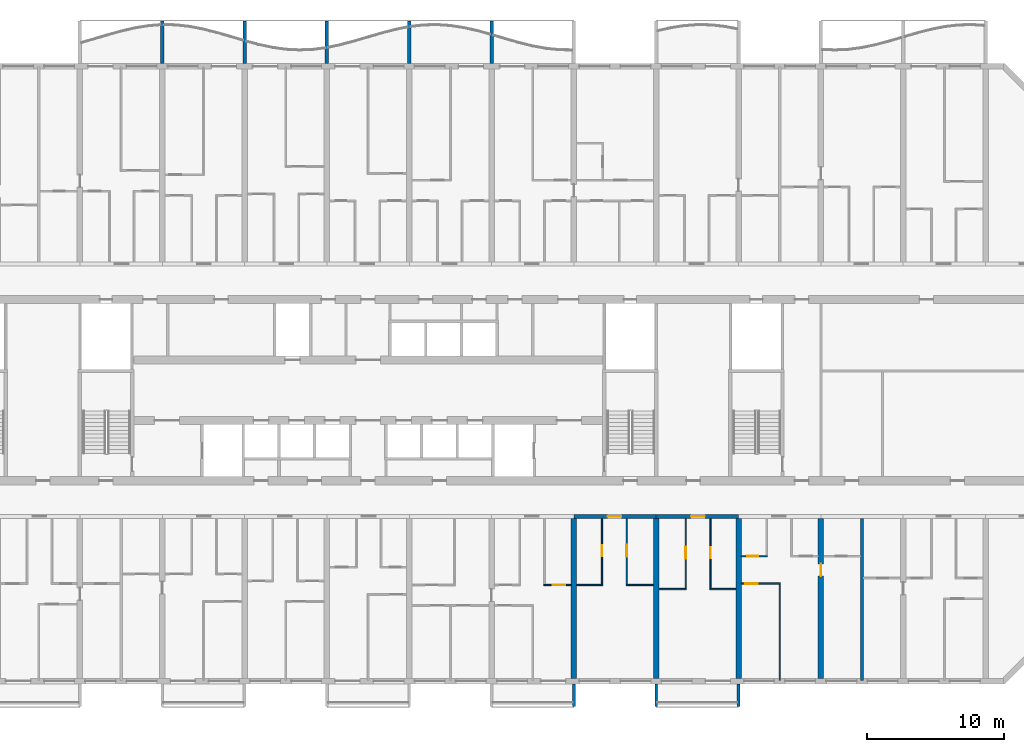
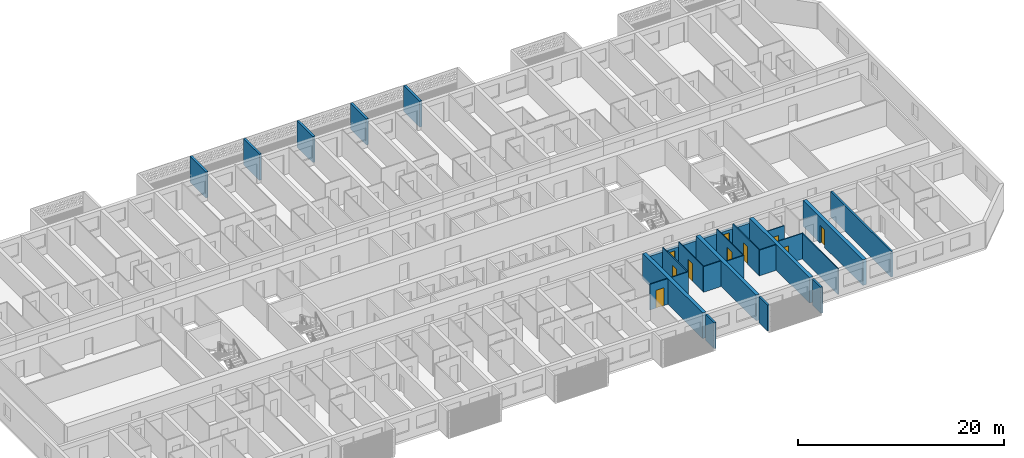
# One storey, part 16 of 44: 27 walls, 10 doors, 10 openings.
"""IFC4 building model written with IfcOpenShell, lengths in metres."""

from ifc_helpers import new_model, si_unit, direction, frame, frame_2d, origin, place, context, subcontext, project, spatial, polyline, rectangle, outline, extrude, source, transform, mapped, material, layer, layer_set, type_object, element, fill, save


model = new_model("IFC4")

# Units and contexts
model_context = context("Model", 3, precision=1e-05, world=origin(), true_north=direction((0.0, 1.0)))
body_context = subcontext(model_context, "Body", "Model", "MODEL_VIEW")
ifc_project = project(units=[si_unit("LENGTHUNIT", "METRE"), si_unit("AREAUNIT", "SQUARE_METRE"), si_unit("VOLUMEUNIT", "CUBIC_METRE"), si_unit("PLANEANGLEUNIT", "RADIAN"), si_unit("MASSUNIT", "GRAM", prefix="KILO")], contexts=[model_context])

# Site, building, storey
site_placement = place(None, origin())
site = spatial("IfcSite", under=ifc_project, at=site_placement, CompositionType="ELEMENT")
building_placement = place(site_placement, origin())
building = spatial("IfcBuilding", under=site, at=building_placement, Name="Poui Terraces", CompositionType="ELEMENT")
storey_placement = place(building_placement, frame((0.0, 0.0, 30.0)))
storey = spatial("IfcBuildingStorey", under=building, at=storey_placement, Name="L07", CompositionType="ELEMENT", Elevation=30.0)

# Wall, opening, door
ifc_material_1 = material(Name="Concrete 80 MPa", Category="concrete")
ifc_layer_1 = layer(ifc_material_1, 0.300048828125)
ifc_layer_set_1 = layer_set([ifc_layer_1], Name="Concrete 80 MPa")
wall_type_1 = type_object("IfcWallType", Name="CORRIDOR WALL 300 80MPa", PredefinedType="SHEAR", material=ifc_layer_set_1)
wall_1_placement = place(storey_placement, frame((66.0, 12.0, 0.0), z_axis=(0.0, 0.0, 1.0), x_axis=(1.0, 0.0, 0.0)))
wall_1 = element("IfcWall", 1, at=wall_1_placement, inside=storey, type_object=wall_type_1, Name="CORRIDOR WALL LINE B BAY 12", PredefinedType="SHEAR", context=body_context, shape_type="SweptSolid", body=[
    extrude(rectangle(XDim=6.0, YDim=0.300048828125, at=frame_2d((3.0, 0.0))), origin(), (0.0, 0.0, 1.0), 2.449951171875),
])
opening_1_placement = place(wall_1_placement, frame((2.449951171875, 0.0, 0.0)))
opening_1 = element("IfcOpeningElement", 2, at=opening_1_placement, cuts=wall_1, Name="Opening FD30S", PredefinedType="OPENING", context=body_context, shape_type="SweptSolid", body=[
    extrude(rectangle(XDim=1.0, YDim=2.10009765625, at=frame_2d((0.5, 1.050048828125))), frame((0.0, 0.16015625, 0.0), z_axis=(0.0, -1.0, 0.0), x_axis=(1.0, 0.0, 0.0)), (0.0, 0.0, 1.0), 0.320068359375),
])
ifc_material_2 = material(Name="Steel fire door", Category="steel")
door_type_1 = type_object("IfcDoorType", Name="FLAT ENTRANCE DOOR 1000 X 2100", OperationType="NOTDEFINED", PredefinedType="DOOR", material=ifc_material_2)
door_1_placement = place(opening_1_placement, frame((1.0, 0.0, 0.0), z_axis=(0.0, 0.0, 1.0), x_axis=(-1.0, 0.0, 0.0)))
door_1 = element("IfcDoor", 3, at=door_1_placement, inside=storey, type_object=door_type_1, Name="FLAT ENTRANCE DOOR 133", OperationType="SINGLE_SWING_RIGHT", OverallHeight=2.10009765625, OverallWidth=1.0, PredefinedType="DOOR", context=body_context, shape_type="SweptSolid", body=[
    extrude(rectangle(XDim=1.0, YDim=2.10009765625, at=frame_2d((0.5, 1.050048828125))), frame((0.0, 0.02490234375, 0.0), z_axis=(0.0, -1.0, 0.0), x_axis=(1.0, 0.0, 0.0)), (0.0, 0.0, 1.0), 0.050048828125),
])
fill(opening_1, door_1)

wall_2_placement = place(storey_placement, frame((72.0, 12.0, 0.0), z_axis=(0.0, 0.0, 1.0), x_axis=(1.0, 0.0, 0.0)))
wall_2 = element("IfcWall", 4, at=wall_2_placement, inside=storey, type_object=wall_type_1, Name="CORRIDOR WALL LINE B BAY 13", PredefinedType="SHEAR", context=body_context, shape_type="SweptSolid", body=[
    extrude(rectangle(XDim=6.0, YDim=0.300048828125, at=frame_2d((3.0, 0.0))), origin(), (0.0, 0.0, 1.0), 2.449951171875),
])
opening_2_placement = place(wall_2_placement, frame((2.550048828125, 0.0, 0.0)))
opening_2 = element("IfcOpeningElement", 5, at=opening_2_placement, cuts=wall_2, Name="Opening FD30S", PredefinedType="OPENING", context=body_context, shape_type="SweptSolid", body=[
    extrude(rectangle(XDim=1.0, YDim=2.10009765625, at=frame_2d((0.5, 1.050048828125))), frame((0.0, 0.16015625, 0.0), z_axis=(0.0, -1.0, 0.0), x_axis=(1.0, 0.0, 0.0)), (0.0, 0.0, 1.0), 0.320068359375),
])
door_2_placement = place(opening_2_placement, frame((1.0, 0.0, 0.0), z_axis=(0.0, 0.0, 1.0), x_axis=(-1.0, 0.0, 0.0)))
door_2 = element("IfcDoor", 6, at=door_2_placement, inside=storey, type_object=door_type_1, Name="FLAT ENTRANCE DOOR 136", OperationType="SINGLE_SWING_LEFT", OverallHeight=2.10009765625, OverallWidth=1.0, PredefinedType="DOOR", context=body_context, shape_type="SweptSolid", body=[
    extrude(rectangle(XDim=1.0, YDim=2.10009765625, at=frame_2d((0.5, 1.050048828125))), frame((0.0, 0.02490234375, 0.0), z_axis=(0.0, -1.0, 0.0), x_axis=(1.0, 0.0, 0.0)), (0.0, 0.0, 1.0), 0.050048828125),
])
fill(opening_2, door_2)

# Walls
ifc_layer_2 = layer(ifc_material_1, 0.39990234375)
ifc_layer_set_2 = layer_set([ifc_layer_2], Name="Concrete 80 MPa")
wall_type_2 = type_object("IfcWallType", Name="CROSS WALL 400 80MPa", PredefinedType="SHEAR", material=ifc_layer_set_2)
for number, where, z_axis, x_axis, name in (
    (7, (66.0, 0.199951171875, 0.0), (0.0, 0.0, 1.0), (0.0, 1.0, 0.0), "CROSS WALL LINE 12 SOUTH"),
    (8, (72.0, 0.199951171875, 0.0), (0.0, 0.0, 1.0), (0.0, 1.0, 0.0), "CROSS WALL LINE 13 SOUTH"),
    (9, (78.0, 0.199951171875, 0.0), (0.0, 0.0, 1.0), (0.0, 1.0, 0.0), "CROSS WALL LINE 14 SOUTH"),
):
    element("IfcWall", number, at=place(storey_placement, frame(where, z_axis=z_axis, x_axis=x_axis)), inside=storey, type_object=wall_type_2, Name=name, PredefinedType="SHEAR", context=body_context, shape_type="SweptSolid", body=[
        extrude(rectangle(XDim=11.650146484375, YDim=0.39990234375, at=frame_2d((5.8251953125, 0.0))), origin(), (0.0, 0.0, 1.0), 3.050048828125),
    ])

# Wall, opening, door
wall_3_placement = place(storey_placement, frame((84.0, 0.199951171875, 0.0), z_axis=(0.0, 0.0, 1.0), x_axis=(0.0, 1.0, 0.0)))
wall_3 = element("IfcWall", 10, at=wall_3_placement, inside=storey, type_object=wall_type_2, Name="CROSS WALL LINE 15 SOUTH", PredefinedType="SHEAR", context=body_context, shape_type="SweptSolid", body=[
    extrude(rectangle(XDim=11.650146484375, YDim=0.39990234375, at=frame_2d((5.8251953125, 0.0))), origin(), (0.0, 0.0, 1.0), 3.050048828125),
])
opening_3_placement = place(wall_3_placement, frame((7.449951171875, 0.0, 0.0)))
opening_3 = element("IfcOpeningElement", 11, at=opening_3_placement, cuts=wall_3, Name="Opening D90", PredefinedType="OPENING", context=body_context, shape_type="SweptSolid", body=[
    extrude(rectangle(XDim=0.89990234375, YDim=2.10009765625, at=frame_2d((0.449951171875, 1.050048828125))), frame((0.0, 0.2099609375, 0.0), z_axis=(0.0, -1.0, 0.0), x_axis=(1.0, 0.0, 0.0)), (0.0, 0.0, 1.0), 0.419921875),
])
ifc_material_3 = material(Name="Solid core timber door", Category="wood")
door_type_2 = type_object("IfcDoorType", Name="INTERNAL DOOR 900 X 2100", OperationType="NOTDEFINED", PredefinedType="DOOR", material=ifc_material_3)
door_3_placement = place(opening_3_placement, frame((0.89990234375, 0.0, 0.0), z_axis=(0.0, 0.0, 1.0), x_axis=(-1.0, 0.0, 0.0)))
door_3 = element("IfcDoor", 12, at=door_3_placement, inside=storey, type_object=door_type_2, Name="INTERNAL DOOR 143", OperationType="SINGLE_SWING_LEFT", OverallHeight=2.10009765625, OverallWidth=0.89990234375, PredefinedType="DOOR", context=body_context, shape_type="SweptSolid", body=[
    extrude(rectangle(XDim=0.89990234375, YDim=2.10009765625, at=frame_2d((0.449951171875, 1.050048828125))), frame((0.0, 0.02490234375, 0.0), z_axis=(0.0, -1.0, 0.0), x_axis=(1.0, 0.0, 0.0)), (0.0, 0.0, 1.0), 0.050048828125),
])
fill(opening_3, door_3)

# Walls
ifc_material_4 = material(Name="Plasterboard partition")
ifc_layer_3 = layer(ifc_material_4, 0.10009765625)
ifc_layer_set_3 = layer_set([ifc_layer_3], Name="Plasterboard partition")
wall_type_3 = type_object("IfcWallType", Name="FLAT PARTITION 100", PredefinedType="PARTITIONING", material=ifc_layer_set_3)
wall_4_placement = place(storey_placement, frame((72.2099609375, 6.699951171875, 0.0), z_axis=(0.0, 0.0, 1.0), x_axis=(1.0, 0.0, 0.0)))
element("IfcWall", 13, at=wall_4_placement, inside=storey, type_object=wall_type_3, Name="FLAT PARTITION 100", PredefinedType="PARTITIONING", context=body_context, shape_type="SweptSolid", body=[
    extrude(rectangle(XDim=1.989990234375, YDim=0.10009765625, at=frame_2d((0.9951171875, 0.0))), origin(), (0.0, 0.0, 1.0), 3.050048828125),
])
wall_5_placement = place(storey_placement, frame((75.89990234375, 6.699951171875, 0.0), z_axis=(0.0, 0.0, 1.0), x_axis=(1.0, 0.0, 0.0)))
element("IfcWall", 14, at=wall_5_placement, inside=storey, type_object=wall_type_3, Name="FLAT PARTITION 100", PredefinedType="PARTITIONING", context=body_context, shape_type="SweptSolid", body=[
    extrude(rectangle(XDim=1.89013671875, YDim=0.10009765625, at=frame_2d((0.945068359375, 0.0))), origin(), (0.0, 0.0, 1.0), 3.050048828125),
])

# Wall, opening, door
wall_6_placement = place(storey_placement, frame((63.800048828125, 7.0, 0.0), z_axis=(0.0, 0.0, 1.0), x_axis=(1.0, 0.0, 0.0)))
wall_6 = element("IfcWall", 15, at=wall_6_placement, inside=storey, type_object=wall_type_3, Name="FLAT PARTITION 100", PredefinedType="PARTITIONING", context=body_context, shape_type="SweptSolid", body=[
    extrude(rectangle(XDim=1.989990234375, YDim=0.10009765625, at=frame_2d((0.9951171875, 0.0))), origin(), (0.0, 0.0, 1.0), 3.050048828125),
])
opening_4_placement = place(wall_6_placement, frame((0.675048828125, 0.0, 0.0)))
opening_4 = element("IfcOpeningElement", 16, at=opening_4_placement, cuts=wall_6, Name="Opening D90", PredefinedType="OPENING", context=body_context, shape_type="SweptSolid", body=[
    extrude(rectangle(XDim=0.89990234375, YDim=2.10009765625, at=frame_2d((0.449951171875, 1.050048828125))), frame((0.0, 0.06005859375, 0.0), z_axis=(0.0, -1.0, 0.0), x_axis=(1.0, 0.0, 0.0)), (0.0, 0.0, 1.0), 0.1201171875),
])
door_4_placement = place(opening_4_placement, origin())
door_4 = element("IfcDoor", 17, at=door_4_placement, inside=storey, type_object=door_type_2, Name="INTERNAL DOOR 131", OperationType="SINGLE_SWING_RIGHT", OverallHeight=2.10009765625, OverallWidth=0.89990234375, PredefinedType="DOOR", context=body_context, shape_type="SweptSolid", body=[
    extrude(rectangle(XDim=0.89990234375, YDim=2.10009765625, at=frame_2d((0.449951171875, 1.050048828125))), frame((0.0, 0.02490234375, 0.0), z_axis=(0.0, -1.0, 0.0), x_axis=(1.0, 0.0, 0.0)), (0.0, 0.0, 1.0), 0.050048828125),
])
fill(opening_4, door_4)

# Walls
wall_7_placement = place(storey_placement, frame((66.2099609375, 7.0, 0.0), z_axis=(0.0, 0.0, 1.0), x_axis=(1.0, 0.0, 0.0)))
element("IfcWall", 18, at=wall_7_placement, inside=storey, type_object=wall_type_3, Name="FLAT PARTITION 100", PredefinedType="PARTITIONING", context=body_context, shape_type="SweptSolid", body=[
    extrude(rectangle(XDim=1.89013671875, YDim=0.10009765625, at=frame_2d((0.945068359375, 0.0))), origin(), (0.0, 0.0, 1.0), 3.050048828125),
])
wall_8_placement = place(storey_placement, frame((69.800048828125, 7.0, 0.0), z_axis=(0.0, 0.0, 1.0), x_axis=(1.0, 0.0, 0.0)))
element("IfcWall", 19, at=wall_8_placement, inside=storey, type_object=wall_type_3, Name="FLAT PARTITION 100", PredefinedType="PARTITIONING", context=body_context, shape_type="SweptSolid", body=[
    extrude(rectangle(XDim=1.989990234375, YDim=0.10009765625, at=frame_2d((0.9951171875, 0.0))), origin(), (0.0, 0.0, 1.0), 3.050048828125),
])

# Wall, opening, door
wall_9_placement = place(storey_placement, frame((78.2099609375, 7.10009765625, 0.0), z_axis=(0.0, 0.0, 1.0), x_axis=(1.0, 0.0, 0.0)))
wall_9 = element("IfcWall", 20, at=wall_9_placement, inside=storey, type_object=wall_type_3, Name="FLAT PARTITION 100", PredefinedType="PARTITIONING", context=body_context, shape_type="SweptSolid", body=[
    extrude(rectangle(XDim=2.840087890625, YDim=0.10009765625, at=frame_2d((1.419921875, 0.0))), origin(), (0.0, 0.0, 1.0), 3.050048828125),
])
opening_5_placement = place(wall_9_placement, frame((0.2900390625, 0.0, 0.0)))
opening_5 = element("IfcOpeningElement", 21, at=opening_5_placement, cuts=wall_9, Name="Opening D90", PredefinedType="OPENING", context=body_context, shape_type="SweptSolid", body=[
    extrude(rectangle(XDim=0.89990234375, YDim=2.10009765625, at=frame_2d((0.449951171875, 1.050048828125))), frame((0.0, 0.06005859375, 0.0), z_axis=(0.0, -1.0, 0.0), x_axis=(1.0, 0.0, 0.0)), (0.0, 0.0, 1.0), 0.1201171875),
])
door_5_placement = place(opening_5_placement, origin())
door_5 = element("IfcDoor", 22, at=door_5_placement, inside=storey, type_object=door_type_2, Name="INTERNAL DOOR 139", OperationType="SINGLE_SWING_RIGHT", OverallHeight=2.10009765625, OverallWidth=0.89990234375, PredefinedType="DOOR", context=body_context, shape_type="SweptSolid", body=[
    extrude(rectangle(XDim=0.89990234375, YDim=2.10009765625, at=frame_2d((0.449951171875, 1.050048828125))), frame((0.0, 0.02490234375, 0.0), z_axis=(0.0, -1.0, 0.0), x_axis=(1.0, 0.0, 0.0)), (0.0, 0.0, 1.0), 0.050048828125),
])
fill(opening_5, door_5)

wall_10_placement = place(storey_placement, frame((78.2099609375, 9.10009765625, 0.0), z_axis=(0.0, 0.0, 1.0), x_axis=(1.0, 0.0, 0.0)))
wall_10 = element("IfcWall", 23, at=wall_10_placement, inside=storey, type_object=wall_type_3, Name="FLAT PARTITION 100", PredefinedType="PARTITIONING", context=body_context, shape_type="SweptSolid", body=[
    extrude(rectangle(XDim=1.89013671875, YDim=0.10009765625, at=frame_2d((0.945068359375, 0.0))), origin(), (0.0, 0.0, 1.0), 3.050048828125),
])
opening_6_placement = place(wall_10_placement, frame((0.4150390625, 0.0, 0.0)))
opening_6 = element("IfcOpeningElement", 24, at=opening_6_placement, cuts=wall_10, Name="Opening D80", PredefinedType="OPENING", context=body_context, shape_type="SweptSolid", body=[
    extrude(rectangle(XDim=0.800048828125, YDim=2.10009765625, at=frame_2d((0.39990234375, 1.050048828125))), frame((0.0, 0.06005859375, 0.0), z_axis=(0.0, -1.0, 0.0), x_axis=(1.0, 0.0, 0.0)), (0.0, 0.0, 1.0), 0.1201171875),
])
door_type_3 = type_object("IfcDoorType", Name="BATHROOM, LAUNDRY AND STORE DOOR 800 X 2100", OperationType="NOTDEFINED", PredefinedType="DOOR", material=ifc_material_3)
door_6_placement = place(opening_6_placement, origin())
door_6 = element("IfcDoor", 25, at=door_6_placement, inside=storey, type_object=door_type_3, Name="BATHROOM, LAUNDRY AND STORE DOOR 140", OperationType="SINGLE_SWING_LEFT", OverallHeight=2.10009765625, OverallWidth=0.800048828125, PredefinedType="DOOR", context=body_context, shape_type="SweptSolid", body=[
    extrude(rectangle(XDim=0.800048828125, YDim=2.10009765625, at=frame_2d((0.39990234375, 1.050048828125))), frame((0.0, 0.02490234375, 0.0), z_axis=(0.0, -1.0, 0.0), x_axis=(1.0, 0.0, 0.0)), (0.0, 0.0, 1.0), 0.050048828125),
])
fill(opening_6, door_6)

wall_11_placement = place(storey_placement, frame((68.050048828125, 7.050048828125, 0.0), z_axis=(0.0, 0.0, 1.0), x_axis=(0.0, 1.0, 0.0)))
wall_11 = element("IfcWall", 26, at=wall_11_placement, inside=storey, type_object=wall_type_3, Name="FLAT PARTITION 100", PredefinedType="PARTITIONING", context=body_context, shape_type="SweptSolid", body=[
    extrude(rectangle(XDim=4.7900390625, YDim=0.10009765625, at=frame_2d((2.39501953125, 0.0))), origin(), (0.0, 0.0, 1.0), 3.050048828125),
])
opening_7_placement = place(wall_11_placement, frame((2.050048828125, 0.0, 0.0)))
opening_7 = element("IfcOpeningElement", 27, at=opening_7_placement, cuts=wall_11, Name="Opening D80", PredefinedType="OPENING", context=body_context, shape_type="SweptSolid", body=[
    extrude(rectangle(XDim=0.800048828125, YDim=2.10009765625, at=frame_2d((0.39990234375, 1.050048828125))), frame((0.0, 0.06005859375, 0.0), z_axis=(0.0, -1.0, 0.0), x_axis=(1.0, 0.0, 0.0)), (0.0, 0.0, 1.0), 0.1201171875),
])
door_7_placement = place(opening_7_placement, origin())
door_7 = element("IfcDoor", 28, at=door_7_placement, inside=storey, type_object=door_type_3, Name="BATHROOM, LAUNDRY AND STORE DOOR 132", OperationType="SINGLE_SWING_RIGHT", OverallHeight=2.10009765625, OverallWidth=0.800048828125, PredefinedType="DOOR", context=body_context, shape_type="SweptSolid", body=[
    extrude(rectangle(XDim=0.800048828125, YDim=2.10009765625, at=frame_2d((0.39990234375, 1.050048828125))), frame((0.0, 0.02490234375, 0.0), z_axis=(0.0, -1.0, 0.0), x_axis=(1.0, 0.0, 0.0)), (0.0, 0.0, 1.0), 0.050048828125),
])
fill(opening_7, door_7)

wall_12_placement = place(storey_placement, frame((69.85009765625, 7.050048828125, 0.0), z_axis=(0.0, 0.0, 1.0), x_axis=(0.0, 1.0, 0.0)))
wall_12 = element("IfcWall", 29, at=wall_12_placement, inside=storey, type_object=wall_type_3, Name="FLAT PARTITION 100", PredefinedType="PARTITIONING", context=body_context, shape_type="SweptSolid", body=[
    extrude(rectangle(XDim=4.7900390625, YDim=0.10009765625, at=frame_2d((2.39501953125, 0.0))), origin(), (0.0, 0.0, 1.0), 3.050048828125),
])
opening_8_placement = place(wall_12_placement, frame((2.0, 0.0, 0.0)))
opening_8 = element("IfcOpeningElement", 30, at=opening_8_placement, cuts=wall_12, Name="Opening D90", PredefinedType="OPENING", context=body_context, shape_type="SweptSolid", body=[
    extrude(rectangle(XDim=0.89990234375, YDim=2.10009765625, at=frame_2d((0.449951171875, 1.050048828125))), frame((0.0, 0.06005859375, 0.0), z_axis=(0.0, -1.0, 0.0), x_axis=(1.0, 0.0, 0.0)), (0.0, 0.0, 1.0), 0.1201171875),
])
door_8_placement = place(opening_8_placement, frame((0.89990234375, 0.0, 0.0), z_axis=(0.0, 0.0, 1.0), x_axis=(-1.0, 0.0, 0.0)))
door_8 = element("IfcDoor", 31, at=door_8_placement, inside=storey, type_object=door_type_2, Name="INTERNAL DOOR 134", OperationType="SINGLE_SWING_RIGHT", OverallHeight=2.10009765625, OverallWidth=0.89990234375, PredefinedType="DOOR", context=body_context, shape_type="SweptSolid", body=[
    extrude(rectangle(XDim=0.89990234375, YDim=2.10009765625, at=frame_2d((0.449951171875, 1.050048828125))), frame((0.0, 0.02490234375, 0.0), z_axis=(0.0, -1.0, 0.0), x_axis=(1.0, 0.0, 0.0)), (0.0, 0.0, 1.0), 0.050048828125),
])
fill(opening_8, door_8)

wall_13_placement = place(storey_placement, frame((74.14990234375, 6.75, 0.0), z_axis=(0.0, 0.0, 1.0), x_axis=(0.0, 1.0, 0.0)))
wall_13 = element("IfcWall", 32, at=wall_13_placement, inside=storey, type_object=wall_type_3, Name="FLAT PARTITION 100", PredefinedType="PARTITIONING", context=body_context, shape_type="SweptSolid", body=[
    extrude(rectangle(XDim=5.090087890625, YDim=0.10009765625, at=frame_2d((2.544921875, 0.0))), origin(), (0.0, 0.0, 1.0), 3.050048828125),
])
opening_9_placement = place(wall_13_placement, frame((2.14990234375, 0.0, 0.0)))
opening_9 = element("IfcOpeningElement", 33, at=opening_9_placement, cuts=wall_13, Name="Opening D90", PredefinedType="OPENING", context=body_context, shape_type="SweptSolid", body=[
    extrude(rectangle(XDim=0.89990234375, YDim=2.10009765625, at=frame_2d((0.449951171875, 1.050048828125))), frame((0.0, 0.06005859375, 0.0), z_axis=(0.0, -1.0, 0.0), x_axis=(1.0, 0.0, 0.0)), (0.0, 0.0, 1.0), 0.1201171875),
])
door_9_placement = place(opening_9_placement, origin())
door_9 = element("IfcDoor", 34, at=door_9_placement, inside=storey, type_object=door_type_2, Name="INTERNAL DOOR 135", OperationType="SINGLE_SWING_LEFT", OverallHeight=2.10009765625, OverallWidth=0.89990234375, PredefinedType="DOOR", context=body_context, shape_type="SweptSolid", body=[
    extrude(rectangle(XDim=0.89990234375, YDim=2.10009765625, at=frame_2d((0.449951171875, 1.050048828125))), frame((0.0, 0.02490234375, 0.0), z_axis=(0.0, -1.0, 0.0), x_axis=(1.0, 0.0, 0.0)), (0.0, 0.0, 1.0), 0.050048828125),
])
fill(opening_9, door_9)

wall_14_placement = place(storey_placement, frame((75.949951171875, 6.75, 0.0), z_axis=(0.0, 0.0, 1.0), x_axis=(0.0, 1.0, 0.0)))
wall_14 = element("IfcWall", 35, at=wall_14_placement, inside=storey, type_object=wall_type_3, Name="FLAT PARTITION 100", PredefinedType="PARTITIONING", context=body_context, shape_type="SweptSolid", body=[
    extrude(rectangle(XDim=5.090087890625, YDim=0.10009765625, at=frame_2d((2.544921875, 0.0))), origin(), (0.0, 0.0, 1.0), 3.050048828125),
])
opening_10_placement = place(wall_14_placement, frame((2.199951171875, 0.0, 0.0)))
opening_10 = element("IfcOpeningElement", 36, at=opening_10_placement, cuts=wall_14, Name="Opening D80", PredefinedType="OPENING", context=body_context, shape_type="SweptSolid", body=[
    extrude(rectangle(XDim=0.800048828125, YDim=2.10009765625, at=frame_2d((0.39990234375, 1.050048828125))), frame((0.0, 0.06005859375, 0.0), z_axis=(0.0, -1.0, 0.0), x_axis=(1.0, 0.0, 0.0)), (0.0, 0.0, 1.0), 0.1201171875),
])
door_10_placement = place(opening_10_placement, frame((0.800048828125, 0.0, 0.0), z_axis=(0.0, 0.0, 1.0), x_axis=(-1.0, 0.0, 0.0)))
door_10 = element("IfcDoor", 37, at=door_10_placement, inside=storey, type_object=door_type_3, Name="BATHROOM, LAUNDRY AND STORE DOOR 137", OperationType="SINGLE_SWING_LEFT", OverallHeight=2.10009765625, OverallWidth=0.800048828125, PredefinedType="DOOR", context=body_context, shape_type="SweptSolid", body=[
    extrude(rectangle(XDim=0.800048828125, YDim=2.10009765625, at=frame_2d((0.39990234375, 1.050048828125))), frame((0.0, 0.02490234375, 0.0), z_axis=(0.0, -1.0, 0.0), x_axis=(1.0, 0.0, 0.0)), (0.0, 0.0, 1.0), 0.050048828125),
])
fill(opening_10, door_10)

# Walls
wall_15_placement = place(storey_placement, frame((81.0, 0.06005859375, 0.0), z_axis=(0.0, 0.0, 1.0), x_axis=(0.0, 1.0, 0.0)))
element("IfcWall", 38, at=wall_15_placement, inside=storey, type_object=wall_type_3, Name="FLAT PARTITION 100", PredefinedType="PARTITIONING", context=body_context, shape_type="SweptSolid", body=[
    extrude(rectangle(XDim=6.989990234375, YDim=0.10009765625, at=frame_2d((3.4951171875, 0.0))), origin(), (0.0, 0.0, 1.0), 3.050048828125),
])
ifc_material_5 = material(Name="Fire-rated masonry wall", Category="masonry")
ifc_layer_4 = layer(ifc_material_5, 0.199951171875)
ifc_layer_set_4 = layer_set([ifc_layer_4], Name="Fire-rated masonry wall")
wall_type_4 = type_object("IfcWallType", Name="FLAT PARTY WALL 200", PredefinedType="PARTITIONING", material=ifc_layer_set_4)
wall_16_placement = place(storey_placement, frame((87.0, 0.06005859375, 0.0), z_axis=(0.0, 0.0, 1.0), x_axis=(0.0, 1.0, 0.0)))
element("IfcWall", 39, at=wall_16_placement, inside=storey, type_object=wall_type_4, Name="FLAT PARTY WALL 200", PredefinedType="PARTITIONING", context=body_context, shape_type="SweptSolid", body=[
    extrude(rectangle(XDim=11.780029296875, YDim=0.199951171875, at=frame_2d((5.89013671875, 0.0))), origin(), (0.0, 0.0, 1.0), 3.050048828125),
])
ifc_material_6 = material(Name="Precast concrete 40 MPa", Category="concrete")
ifc_layer_5 = layer(ifc_material_6, 0.199951171875)
ifc_layer_set_5 = layer_set([ifc_layer_5], Name="Precast concrete 40 MPa")
wall_type_5 = type_object("IfcWallType", Name="REAR FIN 200", PredefinedType="STANDARD", material=ifc_layer_set_5)
shared_shape_1 = source(origin(), body_context, "Body", "SweptSolid", [
    extrude(outline(polyline([(0.0, 0.0), (0.2001953125, 0.0), (0.2001953125, 1.650146484375), (0.0, 1.650146484375), (0.0, 0.0)])), origin(), (0.0, 0.0, 1.0), 3.10009765625),
])
for number, where, name in (
    (40, (65.89990234375, -1.85009765625, 0.0), "REAR FIN"),
    (41, (71.89990234375, -1.85009765625, 0.0), "REAR FIN"),
    (42, (77.89990234375, -1.85009765625, 0.0), "REAR FIN"),
):
    element("IfcWall", number, at=place(storey_placement, frame(where)), inside=storey, type_object=wall_type_5, Name=name, PredefinedType="STANDARD", context=body_context, shape_type="MappedRepresentation", body=[
        mapped(shared_shape_1, transform((0.0, 0.0, 0.0))),
    ])
ifc_layer_6 = layer(ifc_material_6, 0.25)
ifc_layer_set_6 = layer_set([ifc_layer_6], Name="Precast concrete 40 MPa")
wall_type_6 = type_object("IfcWallType", Name="BALCONY FIN 250", PredefinedType="STANDARD", material=ifc_layer_set_6)
shared_shape_2 = source(origin(), body_context, "Body", "SweptSolid", [
    extrude(outline(polyline([(0.0, 0.0), (0.25, 0.0), (0.25, 3.10009765625), (0.0, 3.10009765625), (0.0, 0.0)])), origin(), (0.0, 0.0, 1.0), 3.10009765625),
])
for number, where, name in (
    (43, (35.875, 45.0, 0.0), "BALCONY FIN"),
    (44, (41.875, 45.0, 0.0), "BALCONY FIN"),
    (45, (47.875, 45.0, 0.0), "BALCONY FIN"),
    (46, (53.875, 45.0, 0.0), "BALCONY FIN"),
    (47, (59.875, 45.0, 0.0), "BALCONY FIN"),
):
    element("IfcWall", number, at=place(storey_placement, frame(where)), inside=storey, type_object=wall_type_6, Name=name, PredefinedType="STANDARD", context=body_context, shape_type="MappedRepresentation", body=[
        mapped(shared_shape_2, transform((0.0, 0.0, 0.0))),
    ])

save(model, "model.ifc")
